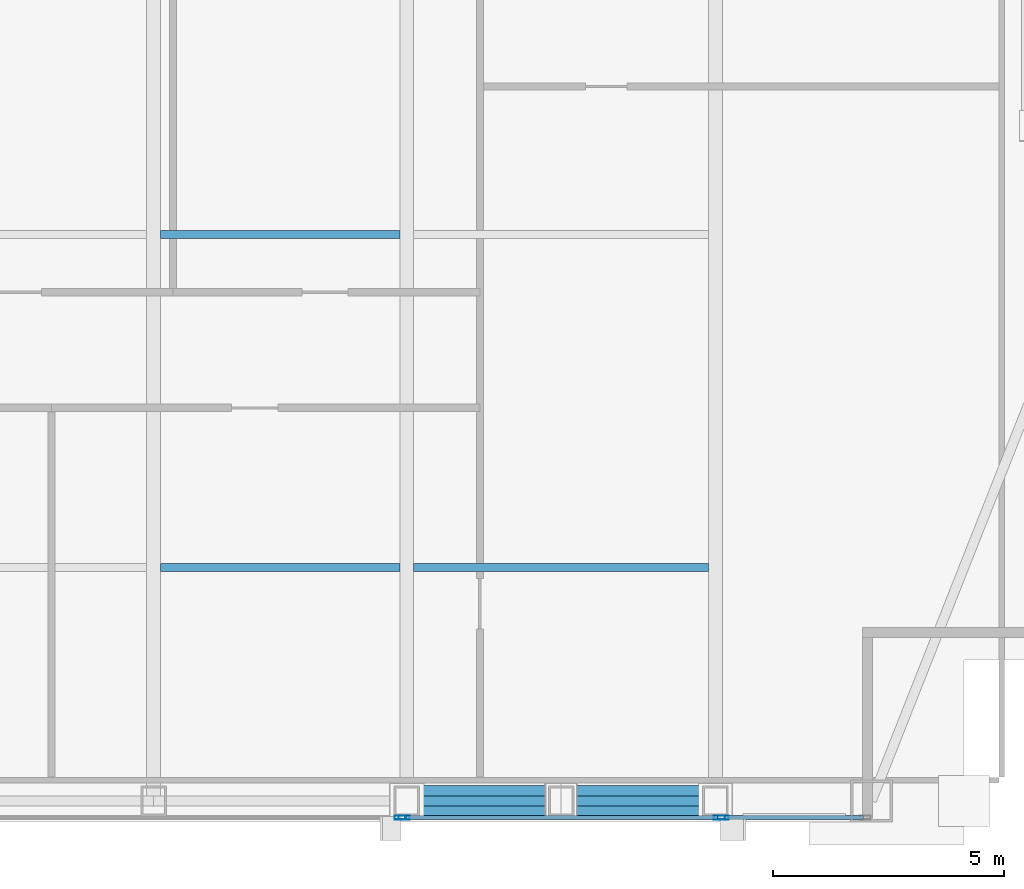
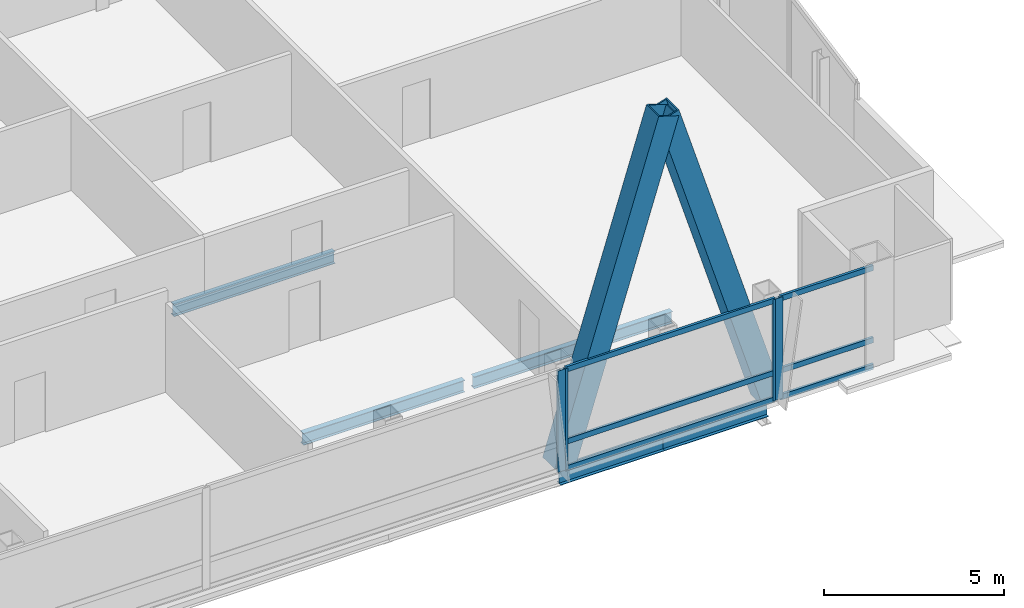
# One storey, part 12 of 28: 12 members, 5 beams, 3 elements without a shape of their own.
"""IFC4 building model written with IfcOpenShell, lengths in metres."""

import ifcopenshell
import ifcopenshell.guid

model = None  # the IFC model being written
_history = None  # IfcOwnerHistory: only IFC2X3 demands one
_inside = {}  # id of a spatial element -> (the spatial element, [elements in it])
_under = {}  # id of a project, library or spatial element -> (it, [spatial elements below it])
_declared = {}  # id of a project -> (the project, [libraries it declares])
_typed = {}  # id of a type object -> (the type object, [elements of that type])
_made_of = {}  # id of a material, layer set ... -> (it, [elements and type objects made of it])


def new_model(schema):
    """Start an empty IFC model of exactly this schema.

    Asked for "IFC4X3", IfcOpenShell would pick the latest addendum, in which some entities
    have other attributes; the version numbers below select the first issue.
    IFC2X3 requires an IfcOwnerHistory on every rooted entity: one is made here for all.
    """
    global model, _history
    if schema == "IFC4X3":
        model = ifcopenshell.file(schema_version=(4, 3, 0, 0))
    else:
        model = ifcopenshell.file(schema=schema)
    _inside.clear()
    _under.clear()
    _declared.clear()
    _typed.clear()
    _made_of.clear()
    _history = None
    if model.schema == "IFC2X3":
        org = make("IfcOrganization", Name="unknown")
        user = make(
            "IfcPersonAndOrganization",
            ThePerson=make("IfcPerson", FamilyName="unknown"),
            TheOrganization=org,
        )
        app = make(
            "IfcApplication",
            ApplicationDeveloper=org,
            Version="unknown",
            ApplicationFullName="unknown",
            ApplicationIdentifier="unknown",
        )
        _history = make(
            "IfcOwnerHistory",
            OwningUser=user,
            OwningApplication=app,
            ChangeAction="ADDED",
            CreationDate=0,
        )
    return model


def make(cls, **values):
    """One entity of the class cls with the attributes given. An attribute that is None is left unset."""
    return model.create_entity(
        cls, **{name: value for name, value in values.items() if value is not None}
    )


def rooted(cls, **values):
    """An entity with a GlobalId (a new one), such as an element, a storey or a relation."""
    return make(cls, GlobalId=ifcopenshell.guid.new(), OwnerHistory=_history, **values)


def si_unit(unit_type, name, prefix=None):
    """IfcSIUnit, for example si_unit("LENGTHUNIT", "METRE", prefix="MILLI")."""
    return make("IfcSIUnit", UnitType=unit_type, Prefix=prefix, Name=name)


def assignment(units):
    """IfcUnitAssignment: the units of a project."""
    return None if units is None else make("IfcUnitAssignment", Units=units)


def point(xyz):
    """IfcCartesianPoint."""
    return None if xyz is None else make("IfcCartesianPoint", Coordinates=xyz)


def direction(xyz):
    """IfcDirection."""
    return None if xyz is None else make("IfcDirection", DirectionRatios=xyz)


def frame(location, z_axis=None, x_axis=None):
    """IfcAxis2Placement3D, a coordinate frame: its origin and axes. An axis left out is left unset."""
    return make(
        "IfcAxis2Placement3D",
        Location=point(location),
        Axis=direction(z_axis),
        RefDirection=direction(x_axis),
    )


def frame_2d(location, x_axis=None):
    """IfcAxis2Placement2D, a coordinate frame in the plane: its origin and x axis."""
    return make(
        "IfcAxis2Placement2D", Location=point(location), RefDirection=direction(x_axis)
    )


def origin():
    """The frame at (0, 0, 0) with its axes left unset."""
    return frame((0.0, 0.0, 0.0))


def origin_2d():
    """The frame at (0, 0) in the plane with its x axis left unset."""
    return frame_2d((0.0, 0.0))


def place(relative_to, where):
    """IfcLocalPlacement: puts the frame where relative to a parent placement (None: the world)."""
    return make(
        "IfcLocalPlacement", PlacementRelTo=relative_to, RelativePlacement=where
    )


def context(
    kind, dimensions, precision=None, world=None, true_north=None, identifier=None
):
    """IfcGeometricRepresentationContext, for example the 3D "Model" context."""
    return make(
        "IfcGeometricRepresentationContext",
        ContextIdentifier=identifier,
        ContextType=kind,
        CoordinateSpaceDimension=dimensions,
        Precision=precision,
        WorldCoordinateSystem=world,
        TrueNorth=true_north,
    )


def subcontext(parent, identifier, kind, view, scale=None):
    """IfcGeometricRepresentationSubContext, for example "Body" below "Model"."""
    return make(
        "IfcGeometricRepresentationSubContext",
        ContextIdentifier=identifier,
        ContextType=kind,
        ParentContext=parent,
        TargetScale=scale,
        TargetView=view,
    )


def project(units=None, contexts=None):
    """IfcProject with its units and contexts."""
    return rooted(
        "IfcProject",
        Name="project",
        RepresentationContexts=contexts,
        UnitsInContext=assignment(units),
    )


def spatial(cls, under=None, at=None, **own):
    """A site, building, storey or space (cls), placed at a placement, below another one or the project."""
    s = rooted(cls, ObjectPlacement=at, **own)
    if under is not None:
        _under.setdefault(under.id(), (under, []))[1].append(s)
    return s


def profile(cls, at=None, kind="AREA", **sizes):
    """A parametric profile (cls). Its sizes go by their IFC names, for example OverallWidth=200.0."""
    return make(cls, ProfileType=kind, Position=at, **sizes)


def hollow_rectangle(**sizes):
    """IfcRectangleHollowProfileDef."""
    return profile("IfcRectangleHollowProfileDef", **sizes)


def i_section(**sizes):
    """IfcIShapeProfileDef."""
    return profile("IfcIShapeProfileDef", **sizes)


def extrude(swept, where, along, depth):
    """IfcExtrudedAreaSolid: the profile swept, set in the frame where, extruded along a direction by depth."""
    return make(
        "IfcExtrudedAreaSolid",
        SweptArea=swept,
        Position=where,
        ExtrudedDirection=direction(along),
        Depth=depth,
    )


def shape(context_of_items, identifier, shape_type, items):
    """IfcShapeRepresentation: the items that make up one representation, for example the "Body"."""
    return make(
        "IfcShapeRepresentation",
        ContextOfItems=context_of_items,
        RepresentationIdentifier=identifier,
        RepresentationType=shape_type,
        Items=items,
    )


def material(Name=None, Category=None):
    """IfcMaterial."""
    return make("IfcMaterial", Name=Name, Category=Category)


def material_profile(
    of_material, cross_section, Name=None, Category=None, Priority=None
):
    """IfcMaterialProfile: a cross section and its material."""
    return make(
        "IfcMaterialProfile",
        Name=Name,
        Material=of_material,
        Profile=cross_section,
        Priority=Priority,
        Category=Category,
    )


def profile_set(profiles, Name=None, composite=None):
    """IfcMaterialProfileSet."""
    return make(
        "IfcMaterialProfileSet",
        Name=Name,
        MaterialProfiles=profiles,
        CompositeProfile=composite,
    )


def made_of(thing, what):
    """Note that an element or type object is made of a material, layer set ...; save() writes the relation."""
    if what is not None:
        _made_of.setdefault(what.id(), (what, []))[1].append(thing)
    return thing


def type_object(cls, material=None, **own):
    """A type object (cls), such as IfcWallType, which elements share."""
    return made_of(rooted(cls, **own), material)


def element(
    cls,
    number,
    at=None,
    inside=None,
    cuts=None,
    type_object=None,
    material=None,
    context=None,
    identifier="Body",
    shape_type=None,
    held_by="IfcProductDefinitionShape",
    body=None,
    shapes=None,
    **own,
):
    """One element of the class cls, such as IfcWall. Its Tag is "e" and its number.

    at: its placement. inside: the storey or other place that contains it. cuts: it is an
    opening in that element (IfcRelVoidsElement). A single representation is given by context,
    identifier, shape_type and body (its items); several are given by shapes. held_by: the class
    of the entity that holds the representations. save() writes the other relations.
    """
    e = rooted(cls, Tag="e%d" % number, ObjectPlacement=at, **own)
    if body is not None:
        shapes = [shape(context, identifier, shape_type, body)]
    if shapes is not None:
        e.Representation = make(held_by, Representations=shapes)
    if inside is not None:
        _inside.setdefault(inside.id(), (inside, []))[1].append(e)
    if cuts is not None:
        rooted(
            "IfcRelVoidsElement", RelatingBuildingElement=cuts, RelatedOpeningElement=e
        )
    if type_object is not None:
        _typed.setdefault(type_object.id(), (type_object, []))[1].append(e)
    return made_of(e, material)


def aggregate(whole, parts):
    """IfcRelAggregates: a whole, such as a stair, and the parts it consists of."""
    return rooted("IfcRelAggregates", RelatingObject=whole, RelatedObjects=parts)


def save(model, path):
    """Write the relations noted so far, then the file.

    IfcRelAggregates (storeys below a building ...), IfcRelContainedInSpatialStructure (elements
    in a storey), IfcRelDefinesByType, IfcRelAssociatesMaterial and IfcRelDeclares: one each for
    every whole, place, type object, material and project.
    """
    for whole, parts in _under.values():
        aggregate(whole, parts)
    for where, things in _inside.values():
        rooted(
            "IfcRelContainedInSpatialStructure",
            RelatedElements=things,
            RelatingStructure=where,
        )
    for kind, things in _typed.values():
        rooted("IfcRelDefinesByType", RelatedObjects=things, RelatingType=kind)
    for what, things in _made_of.values():
        rooted("IfcRelAssociatesMaterial", RelatedObjects=things, RelatingMaterial=what)
    for by, libraries in _declared.values():
        rooted("IfcRelDeclares", RelatingContext=by, RelatedDefinitions=libraries)
    model.write(path)


model = new_model("IFC4")

# Units and contexts
model_context = context("Model", 3, precision=1e-05, world=origin(), true_north=direction((0.0, 1.0)))
body_context = subcontext(model_context, "Body", "Model", "MODEL_VIEW")
ifc_project = project(units=[si_unit("LENGTHUNIT", "METRE"), si_unit("AREAUNIT", "SQUARE_METRE"), si_unit("VOLUMEUNIT", "CUBIC_METRE"), si_unit("PLANEANGLEUNIT", "RADIAN"), si_unit("MASSUNIT", "GRAM", prefix="KILO")], contexts=[model_context])

# Site, building, storey
site_placement = place(None, origin())
site = spatial("IfcSite", under=ifc_project, at=site_placement, CompositionType="ELEMENT")
building_placement = place(site_placement, origin())
building = spatial("IfcBuilding", under=site, at=building_placement, Name="Khoronbel Lancet Exchange", CompositionType="ELEMENT")
storey_placement = place(building_placement, frame((0.0, 0.0, 291.39990234375)))
storey = spatial("IfcBuildingStorey", under=building, at=storey_placement, Name="L75", CompositionType="ELEMENT", Elevation=291.39990234375)

# Beams
ifc_material_1 = material(Name="Steel S355", Category="steel")
ifc_material_profile_1 = material_profile(ifc_material_1, i_section(OverallWidth=0.179931640625, OverallDepth=0.39990234375, WebThickness=0.008544921875, FlangeThickness=0.013427734375, at=origin_2d()), Name="IPE 400")
ifc_profile_set_1 = profile_set([ifc_material_profile_1], Name="Steel S355")
beam_type_1 = type_object("IfcBeamType", Name="BM-BJ5", PredefinedType="JOIST", material=ifc_profile_set_1)
beam_1_placement = place(storey_placement, frame((42.675048828125, 15.199951171875, -0.35986328125), z_axis=(1.0, 0.0, 0.0), x_axis=(0.0, 1.0, 0.0)))
element("IfcBeam", 1, at=beam_1_placement, inside=storey, type_object=beam_type_1, Name="Level L75 secondary composite joist J04", PredefinedType="JOIST", context=body_context, shape_type="SweptSolid", body=[
    extrude(i_section(OverallWidth=0.179931640625, OverallDepth=0.39990234375, WebThickness=0.008544921875, FlangeThickness=0.013427734375, at=origin_2d()), origin(), (0.0, 0.0, 1.0), 5.175048828125),
])
beam_2_placement = place(storey_placement, frame((48.14990234375, 15.199951171875, -0.35986328125), z_axis=(1.0, 0.0, 0.0), x_axis=(0.0, 1.0, 0.0)))
element("IfcBeam", 2, at=beam_2_placement, inside=storey, type_object=beam_type_1, Name="Level L75 secondary composite joist J05", PredefinedType="JOIST", context=body_context, shape_type="SweptSolid", body=[
    extrude(i_section(OverallWidth=0.179931640625, OverallDepth=0.39990234375, WebThickness=0.008544921875, FlangeThickness=0.013427734375, at=origin_2d()), origin(), (0.0, 0.0, 1.0), 6.375),
])
beam_3_placement = place(storey_placement, frame((42.675048828125, 22.39990234375, -0.35986328125), z_axis=(1.0, 0.0, 0.0), x_axis=(0.0, 1.0, 0.0)))
element("IfcBeam", 3, at=beam_3_placement, inside=storey, type_object=beam_type_1, Name="Level L75 secondary composite joist J09", PredefinedType="JOIST", context=body_context, shape_type="SweptSolid", body=[
    extrude(i_section(OverallWidth=0.179931640625, OverallDepth=0.39990234375, WebThickness=0.008544921875, FlangeThickness=0.013427734375, at=origin_2d()), origin(), (0.0, 0.0, 1.0), 5.175048828125),
])
ifc_material_profile_2 = material_profile(ifc_material_1, i_section(OverallWidth=0.2099609375, OverallDepth=0.550048828125, WebThickness=0.010986328125, FlangeThickness=0.01708984375, at=origin_2d()), Name="IPE 550")
ifc_profile_set_2 = profile_set([ifc_material_profile_2], Name="Steel S355")
beam_type_2 = type_object("IfcBeamType", Name="BM-BSP3", PredefinedType="SPANDREL", material=ifc_profile_set_2)
beam_4_placement = place(storey_placement, frame((48.0, 10.14990234375, -0.434814453125), z_axis=(1.0, 0.0, 0.0), x_axis=(0.0, 1.0, 0.0)))
element("IfcBeam", 4, at=beam_4_placement, inside=storey, type_object=beam_type_2, Name="Level L75 perimeter spandrel beam SP06", PredefinedType="SPANDREL", context=body_context, shape_type="SweptSolid", body=[
    extrude(i_section(OverallWidth=0.2099609375, OverallDepth=0.550048828125, WebThickness=0.010986328125, FlangeThickness=0.01708984375, at=origin_2d()), origin(), (0.0, 0.0, 1.0), 3.33740234375),
])
beam_5_placement = place(storey_placement, frame((51.33740234375, 10.14990234375, -0.434814453125), z_axis=(1.0, 0.0, 0.0), x_axis=(0.0, 1.0, 0.0)))
element("IfcBeam", 5, at=beam_5_placement, inside=storey, type_object=beam_type_2, Name="Level L75 perimeter spandrel beam SP07", PredefinedType="SPANDREL", context=body_context, shape_type="SweptSolid", body=[
    extrude(i_section(OverallWidth=0.2099609375, OverallDepth=0.550048828125, WebThickness=0.010986328125, FlangeThickness=0.01708984375, at=origin_2d()), origin(), (0.0, 0.0, 1.0), 3.337646484375),
])

# Curtain wall, member
ifc_material_2 = material(Name="Low-E Solar Control Insulating Glass", Category="glass")
curtain_wall_type = type_object("IfcCurtainWallType", Name="CW-3", PredefinedType="NOTDEFINED", material=ifc_material_2)
curtain_wall_1_placement = place(storey_placement, origin())
curtain_wall_1 = element("IfcCurtainWall", 6, at=curtain_wall_1_placement, inside=storey, type_object=curtain_wall_type, Name="Unitised curtain wall CW-L75-SCV", PredefinedType="NOTDEFINED")
ifc_material_3 = material(Name="Bronze-Anodised Aluminium 6063-T6", Category="aluminium")
ifc_material_profile_3 = material_profile(ifc_material_3, hollow_rectangle(XDim=0.0849609375, YDim=0.239990234375, WallThickness=0.006103515625, at=origin_2d()), Name="ALU MULLION 85x240")
ifc_profile_set_3 = profile_set([ifc_material_profile_3], Name="Bronze-Anodised Aluminium 6063-T6")
member_type_1 = type_object("IfcMemberType", Name="MEM-CWM1", PredefinedType="MULLION", material=ifc_profile_set_3)
member_1_placement = place(storey_placement, frame((47.857421875, 9.7900390625, 0.0), z_axis=(0.0, 0.0, 1.0), x_axis=(0.0, 1.0, 0.0)))
member_1 = element("IfcMember", 7, at=member_1_placement, type_object=member_type_1, Name="CW3 mullion 3", PredefinedType="MULLION", context=body_context, shape_type="SweptSolid", body=[
    extrude(hollow_rectangle(XDim=0.0849609375, YDim=0.239990234375, WallThickness=0.006103515625, at=origin_2d()), origin(), (0.0, 0.0, 1.0), 3.440185546875),
])
aggregate(curtain_wall_1, [member_1])

# Curtain wall, members
curtain_wall_2_placement = place(storey_placement, origin())
curtain_wall_2 = element("IfcCurtainWall", 8, at=curtain_wall_2_placement, inside=storey, type_object=curtain_wall_type, Name="Unitised curtain wall CW-L75-SEB", PredefinedType="NOTDEFINED")
member_2_placement = place(storey_placement, frame((47.9423828125, 9.7900390625, 0.0), z_axis=(0.0, 0.0, 1.0), x_axis=(0.0, 1.0, 0.0)))
member_2 = element("IfcMember", 9, at=member_2_placement, type_object=member_type_1, Name="CW3 mullion 1", PredefinedType="MULLION", context=body_context, shape_type="SweptSolid", body=[
    extrude(hollow_rectangle(XDim=0.0849609375, YDim=0.239990234375, WallThickness=0.006103515625, at=origin_2d()), origin(), (0.0, 0.0, 1.0), 3.440185546875),
])
member_3_placement = place(storey_placement, frame((54.757568359375, 9.7900390625, 0.0), z_axis=(0.0, 0.0, 1.0), x_axis=(0.0, 1.0, 0.0)))
member_3 = element("IfcMember", 10, at=member_3_placement, type_object=member_type_1, Name="CW3 mullion 2", PredefinedType="MULLION", context=body_context, shape_type="SweptSolid", body=[
    extrude(hollow_rectangle(XDim=0.0849609375, YDim=0.239990234375, WallThickness=0.006103515625, at=origin_2d()), origin(), (0.0, 0.0, 1.0), 3.440185546875),
])

# Curtain wall, member
curtain_wall_3_placement = place(storey_placement, origin())
curtain_wall_3 = element("IfcCurtainWall", 11, at=curtain_wall_3_placement, inside=storey, type_object=curtain_wall_type, Name="Unitised curtain wall CW-L75-SEV", PredefinedType="NOTDEFINED")
member_4_placement = place(storey_placement, frame((54.842529296875, 9.7900390625, 0.0), z_axis=(0.0, 0.0, 1.0), x_axis=(0.0, 1.0, 0.0)))
member_4 = element("IfcMember", 12, at=member_4_placement, type_object=member_type_1, Name="CW3 mullion 1", PredefinedType="MULLION", context=body_context, shape_type="SweptSolid", body=[
    extrude(hollow_rectangle(XDim=0.0849609375, YDim=0.239990234375, WallThickness=0.006103515625, at=origin_2d()), origin(), (0.0, 0.0, 1.0), 3.440185546875),
])

# Member
ifc_material_profile_4 = material_profile(ifc_material_3, hollow_rectangle(XDim=0.0849609375, YDim=0.179931640625, WallThickness=0.0048828125, at=origin_2d()), Name="ALU TRANSOM 85x180")
ifc_profile_set_4 = profile_set([ifc_material_profile_4], Name="Bronze-Anodised Aluminium 6063-T6")
member_type_2 = type_object("IfcMemberType", Name="MEM-CWT1", PredefinedType="USERDEFINED", material=ifc_profile_set_4)
member_5_placement = place(storey_placement, frame((47.985107421875, 9.7900390625, 0.04248046875), z_axis=(1.0, 0.0, 0.0), x_axis=(0.0, 1.0, 0.0)))
member_5 = element("IfcMember", 13, at=member_5_placement, type_object=member_type_2, Name="CW3 transom 1.1", ObjectType="TRANSOM", PredefinedType="USERDEFINED", context=body_context, shape_type="SweptSolid", body=[
    extrude(hollow_rectangle(XDim=0.0849609375, YDim=0.179931640625, WallThickness=0.0048828125, at=origin_2d()), origin(), (0.0, 0.0, 1.0), 6.72998046875),
])

member_6_placement = place(storey_placement, frame((47.985107421875, 9.7900390625, 0.9501953125), z_axis=(1.0, 0.0, 0.0), x_axis=(0.0, 1.0, 0.0)))
member_6 = element("IfcMember", 14, at=member_6_placement, type_object=member_type_2, Name="CW3 transom 1.2", ObjectType="TRANSOM", PredefinedType="USERDEFINED", context=body_context, shape_type="SweptSolid", body=[
    extrude(hollow_rectangle(XDim=0.0849609375, YDim=0.179931640625, WallThickness=0.0048828125, at=origin_2d()), origin(), (0.0, 0.0, 1.0), 6.72998046875),
])

member_7_placement = place(storey_placement, frame((47.985107421875, 9.7900390625, 3.397705078125), z_axis=(1.0, 0.0, 0.0), x_axis=(0.0, 1.0, 0.0)))
member_7 = element("IfcMember", 15, at=member_7_placement, type_object=member_type_2, Name="CW3 transom 1.3", ObjectType="TRANSOM", PredefinedType="USERDEFINED", context=body_context, shape_type="SweptSolid", body=[
    extrude(hollow_rectangle(XDim=0.0849609375, YDim=0.179931640625, WallThickness=0.0048828125, at=origin_2d()), origin(), (0.0, 0.0, 1.0), 6.72998046875),
])

aggregate(curtain_wall_2, [member_2, member_3, member_5, member_6, member_7])

member_8_placement = place(storey_placement, frame((54.885009765625, 9.7900390625, 0.04248046875), z_axis=(1.0, 0.0, 0.0), x_axis=(0.0, 1.0, 0.0)))
member_8 = element("IfcMember", 16, at=member_8_placement, type_object=member_type_2, Name="CW3 transom 1.1", ObjectType="TRANSOM", PredefinedType="USERDEFINED", context=body_context, shape_type="SweptSolid", body=[
    extrude(hollow_rectangle(XDim=0.0849609375, YDim=0.179931640625, WallThickness=0.0048828125, at=origin_2d()), origin(), (0.0, 0.0, 1.0), 2.989990234375),
])

member_9_placement = place(storey_placement, frame((54.885009765625, 9.7900390625, 0.9501953125), z_axis=(1.0, 0.0, 0.0), x_axis=(0.0, 1.0, 0.0)))
member_9 = element("IfcMember", 17, at=member_9_placement, type_object=member_type_2, Name="CW3 transom 1.2", ObjectType="TRANSOM", PredefinedType="USERDEFINED", context=body_context, shape_type="SweptSolid", body=[
    extrude(hollow_rectangle(XDim=0.0849609375, YDim=0.179931640625, WallThickness=0.0048828125, at=origin_2d()), origin(), (0.0, 0.0, 1.0), 2.989990234375),
])

member_10_placement = place(storey_placement, frame((54.885009765625, 9.7900390625, 3.397705078125), z_axis=(1.0, 0.0, 0.0), x_axis=(0.0, 1.0, 0.0)))
member_10 = element("IfcMember", 18, at=member_10_placement, type_object=member_type_2, Name="CW3 transom 1.3", ObjectType="TRANSOM", PredefinedType="USERDEFINED", context=body_context, shape_type="SweptSolid", body=[
    extrude(hollow_rectangle(XDim=0.0849609375, YDim=0.179931640625, WallThickness=0.0048828125, at=origin_2d()), origin(), (0.0, 0.0, 1.0), 2.989990234375),
])

aggregate(curtain_wall_3, [member_4, member_8, member_9, member_10])

# Members
ifc_material_4 = material(Name="Steel S460", Category="steel")
ifc_material_profile_5 = material_profile(ifc_material_4, hollow_rectangle(XDim=0.679931640625, YDim=0.679931640625, WallThickness=0.044921875, at=origin_2d()), Name="BOX 680x680x45")
ifc_profile_set_5 = profile_set([ifc_material_profile_5], Name="Steel S460")
member_type_3 = type_object("IfcMemberType", Name="MEM-MB3", PredefinedType="BRACE", material=ifc_profile_set_5)
for number, where, z_axis, x_axis, name in (
    (19, (48.0, 10.14990234375, 0.0), (0.295242108906, 0.0, 0.955422470496), (0.0, 1.0, 0.0), "Perimeter lancet brace tier 26 S-E-L"),
    (20, (54.675048828125, 10.14990234375, 0.0), (-0.295261823895, 0.0, 0.955416378), (0.0, -1.0, 0.0), "Perimeter lancet brace tier 26 S-E-R"),
):
    element("IfcMember", number, at=place(storey_placement, frame(where, z_axis=z_axis, x_axis=x_axis)), inside=storey, type_object=member_type_3, Name=name, PredefinedType="BRACE", context=body_context, shape_type="SweptSolid", body=[
        extrude(hollow_rectangle(XDim=0.679931640625, YDim=0.679931640625, WallThickness=0.044921875, at=origin_2d()), origin(), (0.0, 0.0, 1.0), 11.303955078125),
    ])

save(model, "model.ifc")
